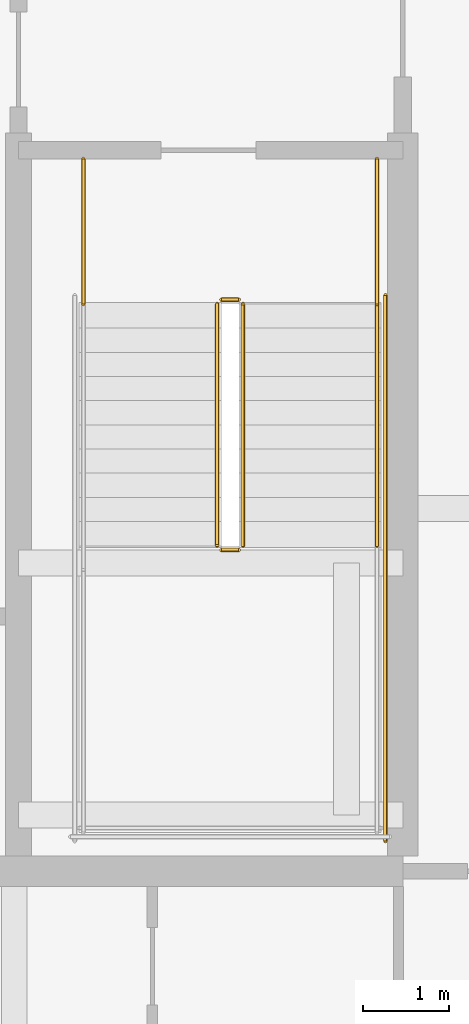
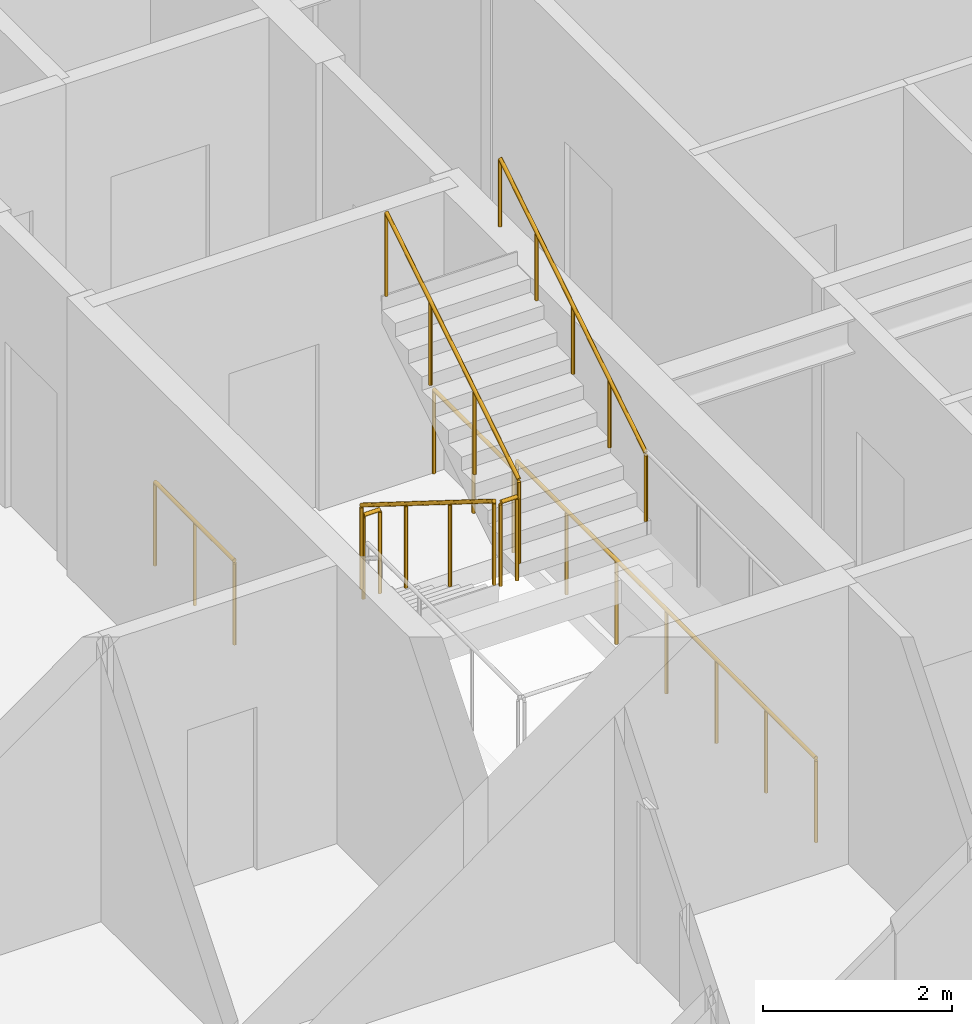
# One storey, part 38 of 40: 8 railings.
"""IFC4 building model written with IfcOpenShell, lengths in metres."""

from ifc_helpers import new_model, si_unit, direction, frame, origin, origin_2d, place, context, subcontext, project, spatial, circle, extrude, material, type_object, element, save


model = new_model("IFC4")

# Units and contexts
model_context = context("Model", 3, precision=1e-05, world=origin(), true_north=direction((0.0, 1.0)))
body_context = subcontext(model_context, "Body", "Model", "MODEL_VIEW")
ifc_project = project(units=[si_unit("LENGTHUNIT", "METRE"), si_unit("AREAUNIT", "SQUARE_METRE"), si_unit("VOLUMEUNIT", "CUBIC_METRE"), si_unit("PLANEANGLEUNIT", "RADIAN"), si_unit("MASSUNIT", "GRAM", prefix="KILO")], contexts=[model_context])

# Site, building, storey
site_placement = place(None, origin())
site = spatial("IfcSite", under=ifc_project, at=site_placement, CompositionType="ELEMENT")
building_placement = place(site_placement, origin())
building = spatial("IfcBuilding", under=site, at=building_placement, Name="Serunith Strait Residences", CompositionType="ELEMENT")
storey_placement = place(building_placement, frame((0.0, 0.0, 252.800048828125)))
storey = spatial("IfcBuildingStorey", under=building, at=storey_placement, Name="L63", CompositionType="ELEMENT", Elevation=252.800048828125)

# Railings
ifc_material = material(Name="Brushed stainless steel 316L", Category="steel")
railing_type_1 = type_object("IfcRailingType", Name="RLG-STAIR-GUARD", PredefinedType="BALUSTRADE", material=ifc_material)
railing_1_placement = place(storey_placement, frame((39.25, 23.3701171875, 0.175048828125)))
element("IfcRailing", 1, at=railing_1_placement, inside=storey, type_object=railing_type_1, Name="L63 ST-2 stair guard 1", PredefinedType="BALUSTRADE", context=body_context, shape_type="SweptSolid", body=[
    extrude(circle(Radius=0.02392578125, at=origin_2d()), frame((0.0, -0.001708984375, 1.0771484375), z_axis=(0.0, -0.848002457836, 0.529992293815), x_axis=(1.0, 0.0, 0.0)), (0.0, 0.0, 1.0), 3.2978515625),
    extrude(circle(Radius=0.02099609375, at=origin_2d()), origin(), (0.0, 0.0, 1.0), 1.050048828125),
    extrude(circle(Radius=0.02099609375, at=origin_2d()), frame((0.0, -0.933349609375, 0.583251953125)), (0.0, 0.0, 1.0), 1.050048828125),
    extrude(circle(Radius=0.02099609375, at=origin_2d()), frame((0.0, -1.86669921875, 1.166748046875)), (0.0, 0.0, 1.0), 1.050048828125),
    extrude(circle(Radius=0.02099609375, at=origin_2d()), frame((0.0, -2.800048828125, 1.75)), (0.0, 0.0, 1.0), 1.050048828125),
])
railing_2_placement = place(storey_placement, frame((39.300048828125, 20.52001953125, 1.925048828125)))
element("IfcRailing", 2, at=railing_2_placement, inside=storey, type_object=railing_type_1, Name="L63 ST-2 stair guard 2", PredefinedType="BALUSTRADE", context=body_context, shape_type="SweptSolid", body=[
    extrude(circle(Radius=0.02392578125, at=origin_2d()), frame((0.001953125, 0.0, 1.076171875), z_axis=(1.0, 0.0, 0.0), x_axis=(0.0, 1.0, 0.0)), (0.0, 0.0, 1.0), 0.196044921875),
    extrude(circle(Radius=0.02099609375, at=origin_2d()), origin(), (0.0, 0.0, 1.0), 1.050048828125),
    extrude(circle(Radius=0.02099609375, at=origin_2d()), frame((0.199951171875, 0.0, 0.0)), (0.0, 0.0, 1.0), 1.050048828125),
])
railing_3_placement = place(storey_placement, frame((39.550048828125, 20.570068359375, 2.099853515625)))
element("IfcRailing", 3, at=railing_3_placement, inside=storey, type_object=railing_type_1, Name="L63 ST-2 stair guard 6", PredefinedType="BALUSTRADE", context=body_context, shape_type="SweptSolid", body=[
    extrude(circle(Radius=0.02392578125, at=origin_2d()), frame((0.0, 0.001708984375, 1.0771484375), z_axis=(0.0, 0.848002457836, 0.529992293815), x_axis=(-1.0, 0.0, 0.0)), (0.0, 0.0, 1.0), 3.2978515625),
    extrude(circle(Radius=0.02099609375, at=origin_2d()), origin(), (0.0, 0.0, 1.0), 1.050048828125),
    extrude(circle(Radius=0.02099609375, at=origin_2d()), frame((0.0, 0.933349609375, 0.583251953125)), (0.0, 0.0, 1.0), 1.050048828125),
    extrude(circle(Radius=0.02099609375, at=origin_2d()), frame((0.0, 1.86669921875, 1.166748046875)), (0.0, 0.0, 1.0), 1.050048828125),
    extrude(circle(Radius=0.02099609375, at=origin_2d()), frame((0.0, 2.800048828125, 1.75)), (0.0, 0.0, 1.0), 1.050048828125),
])
railing_4_placement = place(storey_placement, frame((39.300048828125, 23.419921875, 0.0)))
element("IfcRailing", 4, at=railing_4_placement, inside=storey, type_object=railing_type_1, Name="L63 ST-2 stair guard 7", PredefinedType="BALUSTRADE", context=body_context, shape_type="SweptSolid", body=[
    extrude(circle(Radius=0.02392578125, at=origin_2d()), frame((0.001953125, 0.0, 1.076171875), z_axis=(1.0, 0.0, 0.0), x_axis=(0.0, 1.0, 0.0)), (0.0, 0.0, 1.0), 0.196044921875),
    extrude(circle(Radius=0.02099609375, at=origin_2d()), origin(), (0.0, 0.0, 1.0), 1.050048828125),
    extrude(circle(Radius=0.02099609375, at=origin_2d()), frame((0.199951171875, 0.0, 0.0)), (0.0, 0.0, 1.0), 1.050048828125),
])
for number, where, name in (
    (5, (37.699951171875, 25.050048828125, 0.0), "L63 ST-2 stair guard 8"),
    (6, (41.10009765625, 25.050048828125, 0.0), "L63 ST-2 stair guard 9"),
):
    element("IfcRailing", number, at=place(storey_placement, frame(where)), inside=storey, type_object=railing_type_1, Name=name, PredefinedType="BALUSTRADE", context=body_context, shape_type="SweptSolid", body=[
        extrude(circle(Radius=0.02392578125, at=origin_2d()), frame((0.0, -0.001953125, 1.076171875), z_axis=(0.0, -1.0, 0.0), x_axis=(1.0, 0.0, 0.0)), (0.0, 0.0, 1.0), 1.676025390625),
        extrude(circle(Radius=0.02099609375, at=origin_2d()), origin(), (0.0, 0.0, 1.0), 1.050048828125),
        extrude(circle(Radius=0.02099609375, at=origin_2d()), frame((0.0, -0.83984375, 0.0)), (0.0, 0.0, 1.0), 1.050048828125),
        extrude(circle(Radius=0.02099609375, at=origin_2d()), frame((0.0, -1.679931640625, 0.0)), (0.0, 0.0, 1.0), 1.050048828125),
    ])
railing_5_placement = place(storey_placement, frame((41.199951171875, 23.469970703125, 0.0)))
element("IfcRailing", 7, at=railing_5_placement, inside=storey, type_object=railing_type_1, Name="L63 ST-2 stair guard 11", PredefinedType="BALUSTRADE", context=body_context, shape_type="SweptSolid", body=[
    extrude(circle(Radius=0.02392578125, at=origin_2d()), frame((0.0, -0.001953125, 1.076171875), z_axis=(0.0, -1.0, 0.0), x_axis=(1.0, 0.0, 0.0)), (0.0, 0.0, 1.0), 6.316162109375),
    extrude(circle(Radius=0.02099609375, at=origin_2d()), origin(), (0.0, 0.0, 1.0), 1.050048828125),
    extrude(circle(Radius=0.02099609375, at=origin_2d()), frame((0.0, -1.05322265625, 0.0)), (0.0, 0.0, 1.0), 1.050048828125),
    extrude(circle(Radius=0.02099609375, at=origin_2d()), frame((0.0, -2.106689453125, 0.0)), (0.0, 0.0, 1.0), 1.050048828125),
    extrude(circle(Radius=0.02099609375, at=origin_2d()), frame((0.0, -3.16015625, 0.0)), (0.0, 0.0, 1.0), 1.050048828125),
    extrude(circle(Radius=0.02099609375, at=origin_2d()), frame((0.0, -4.21337890625, 0.0)), (0.0, 0.0, 1.0), 1.050048828125),
    extrude(circle(Radius=0.02099609375, at=origin_2d()), frame((0.0, -5.2666015625, 0.0)), (0.0, 0.0, 1.0), 1.050048828125),
    extrude(circle(Radius=0.02099609375, at=origin_2d()), frame((0.0, -6.320068359375, 0.0)), (0.0, 0.0, 1.0), 1.050048828125),
])
railing_type_2 = type_object("IfcRailingType", Name="RLG-STAIR-HR", PredefinedType="HANDRAIL", material=ifc_material)
railing_6_placement = place(storey_placement, frame((41.10009765625, 20.570068359375, 2.099853515625)))
element("IfcRailing", 8, at=railing_6_placement, inside=storey, type_object=railing_type_2, Name="L63 ST-2 stair handrail 2", PredefinedType="HANDRAIL", context=body_context, shape_type="SweptSolid", body=[
    extrude(circle(Radius=0.02392578125, at=origin_2d()), frame((0.0, 0.001708984375, 0.876953125), z_axis=(0.0, 0.847344832318, 0.531043063361), x_axis=(-1.0, 0.0, 0.0)), (0.0, 0.0, 1.0), 3.630615234375),
    extrude(circle(Radius=0.02099609375, at=origin_2d()), origin(), (0.0, 0.0, 1.0), 0.849853515625),
    extrude(circle(Radius=0.02099609375, at=origin_2d()), frame((0.0, 0.77001953125, 0.482421875)), (0.0, 0.0, 1.0), 0.849853515625),
    extrude(circle(Radius=0.02099609375, at=origin_2d()), frame((0.0, 1.5400390625, 0.965087890625)), (0.0, 0.0, 1.0), 0.849853515625),
    extrude(circle(Radius=0.02099609375, at=origin_2d()), frame((0.0, 2.309814453125, 1.44775390625)), (0.0, 0.0, 1.0), 0.849853515625),
    extrude(circle(Radius=0.02099609375, at=origin_2d()), frame((0.0, 3.079833984375, 1.93017578125)), (0.0, 0.0, 1.0), 0.849853515625),
])

save(model, "model.ifc")
